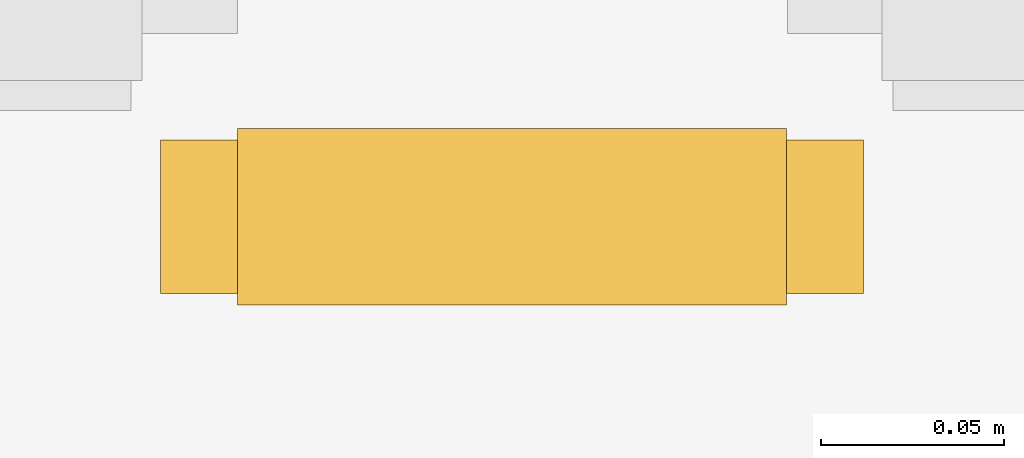
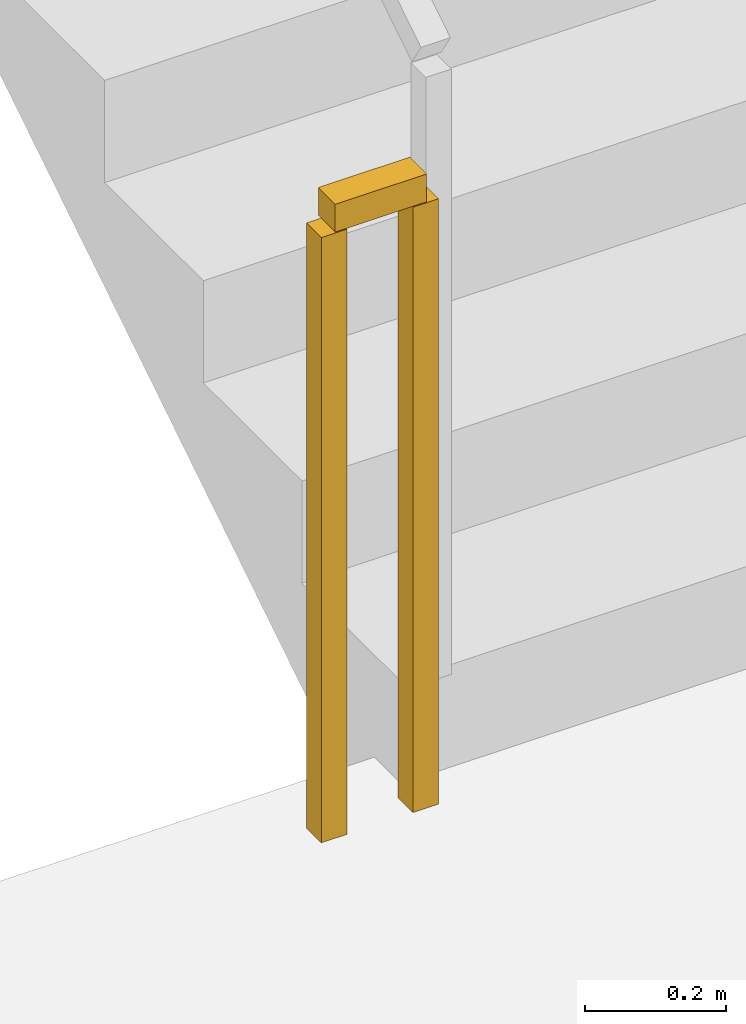
# One storey, part 8 of 10: 1 railing.
"""IFC4 building model written with IfcOpenShell, lengths in metres."""

from ifc_helpers import new_model, si_unit, direction, frame, origin, origin_2d, place, context, subcontext, project, spatial, rectangle, extrude, material, type_object, element, save


model = new_model("IFC4")

# Units and contexts
model_context = context("Model", 3, precision=1e-05, world=origin(), true_north=direction((0.0, 1.0)))
body_context = subcontext(model_context, "Body", "Model", "MODEL_VIEW")
ifc_project = project(units=[si_unit("LENGTHUNIT", "METRE"), si_unit("AREAUNIT", "SQUARE_METRE"), si_unit("VOLUMEUNIT", "CUBIC_METRE"), si_unit("PLANEANGLEUNIT", "RADIAN"), si_unit("MASSUNIT", "GRAM", prefix="KILO")], contexts=[model_context])

# Site, building, storey
site_placement = place(None, origin())
site = spatial("IfcSite", under=ifc_project, at=site_placement, CompositionType="ELEMENT")
building_placement = place(site_placement, origin())
building = spatial("IfcBuilding", under=site, at=building_placement, Name="Varnakorn Sky Granary", CompositionType="ELEMENT")
storey_placement = place(building_placement, frame((0.0, 0.0, 13.800048828125)))
storey = spatial("IfcBuildingStorey", under=building, at=storey_placement, Name="L03", CompositionType="ELEMENT", Elevation=13.800048828125)

# Railing
ifc_material = material(Name="Brushed Stainless Steel 316", Category="steel")
railing_type = type_object("IfcRailingType", Name="RL-STAIR-1100", PredefinedType="GUARDRAIL", material=ifc_material)
railing_placement = place(storey_placement, frame((-24.830078125, 11.929931640625, 0.0)))
element("IfcRailing", 1, at=railing_placement, inside=storey, type_object=railing_type, Name="L03 ST-B3 stair guard 4", PredefinedType="GUARDRAIL", context=body_context, shape_type="SweptSolid", body=[
    extrude(rectangle(XDim=0.048095703125, YDim=0.048095703125, at=origin_2d()), frame((0.0, 0.0, 1.076171875), z_axis=(-1.0, 0.0, 0.0), x_axis=(0.0, -1.0, 0.0)), (0.0, 0.0, 1.0), 0.14990234375),
    extrude(rectangle(XDim=0.0419921875, YDim=0.0419921875, at=origin_2d()), origin(), (0.0, 0.0, 1.0), 1.048095703125),
    extrude(rectangle(XDim=0.0419921875, YDim=0.0419921875, at=origin_2d()), frame((-0.14990234375, 0.0, 0.0)), (0.0, 0.0, 1.0), 1.048095703125),
])

save(model, "model.ifc")
